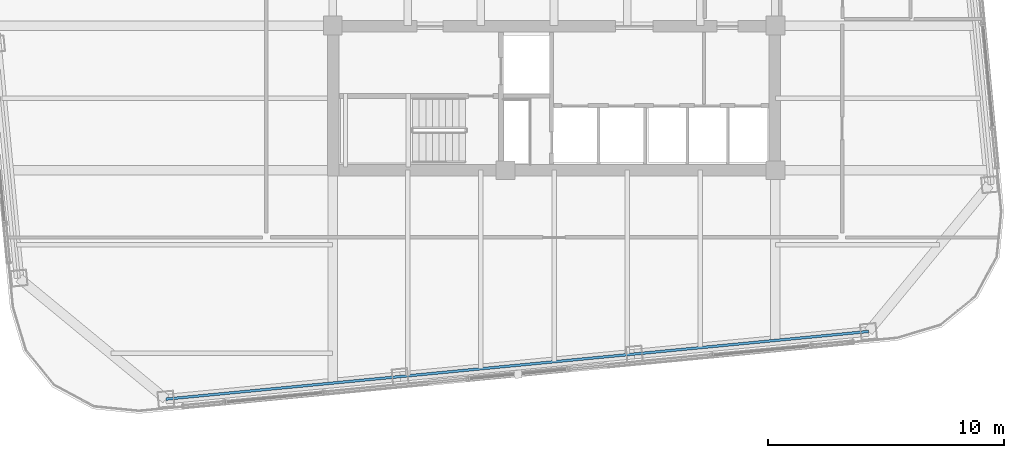
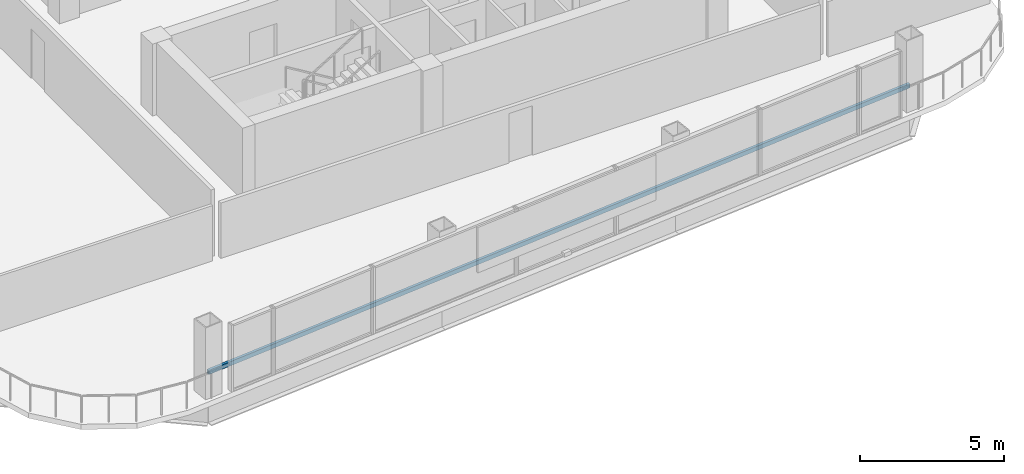
# One storey, part 5 of 28: 1 member.
"""IFC4 building model written with IfcOpenShell, lengths in metres."""

from ifc_helpers import new_model, si_unit, direction, frame, origin, origin_2d, place, context, subcontext, project, spatial, hollow_rectangle, extrude, material, material_profile, profile_set, type_object, element, save


model = new_model("IFC4")

# Units and contexts
model_context = context("Model", 3, precision=1e-05, world=origin(), true_north=direction((0.0, 1.0)))
body_context = subcontext(model_context, "Body", "Model", "MODEL_VIEW")
ifc_project = project(units=[si_unit("LENGTHUNIT", "METRE"), si_unit("AREAUNIT", "SQUARE_METRE"), si_unit("VOLUMEUNIT", "CUBIC_METRE"), si_unit("PLANEANGLEUNIT", "RADIAN"), si_unit("MASSUNIT", "GRAM", prefix="KILO")], contexts=[model_context])

# Site, building, storey
site_placement = place(None, origin())
site = spatial("IfcSite", under=ifc_project, at=site_placement, CompositionType="ELEMENT")
building_placement = place(site_placement, origin())
building = spatial("IfcBuilding", under=site, at=building_placement, Name="Qhalaya Broadcast Tower", CompositionType="ELEMENT")
storey_placement = place(building_placement, frame((0.0, 0.0, 159.199951171875)))
storey = spatial("IfcBuildingStorey", under=building, at=storey_placement, Name="L46", CompositionType="ELEMENT", Elevation=159.199951171875)

# Member
ifc_material = material(Name="Fired Architectural Terracotta", Category="masonry")
ifc_material_profile = material_profile(ifc_material, hollow_rectangle(XDim=0.110107421875, YDim=0.179931640625, WallThickness=0.01806640625, at=origin_2d()), Name="TB-BAG 110x180x18")
ifc_profile_set = profile_set([ifc_material_profile], Name="Fired Architectural Terracotta")
member_type = type_object("IfcMemberType", Name="Fired Terracotta Facade Baguette Member TB1", PredefinedType="USERDEFINED", material=ifc_profile_set)
member_placement = place(storey_placement, frame((-16.44189453125, -18.44775390625, 0.84912109375), z_axis=(0.995396364067, 0.095844031643, 0.0), x_axis=(-0.095844031643, 0.995396364067, 0.0)))
element("IfcMember", 1, at=member_placement, inside=storey, type_object=member_type, Name="L46 Terracotta Baguette Feature Rail S", ObjectType="BAGUETTE", PredefinedType="USERDEFINED", context=body_context, shape_type="SweptSolid", body=[
    extrude(hollow_rectangle(XDim=0.110107421875, YDim=0.179931640625, WallThickness=0.01806640625, at=origin_2d()), origin(), (0.0, 0.0, 1.0), 29.89990234375),
])

save(model, "model.ifc")
